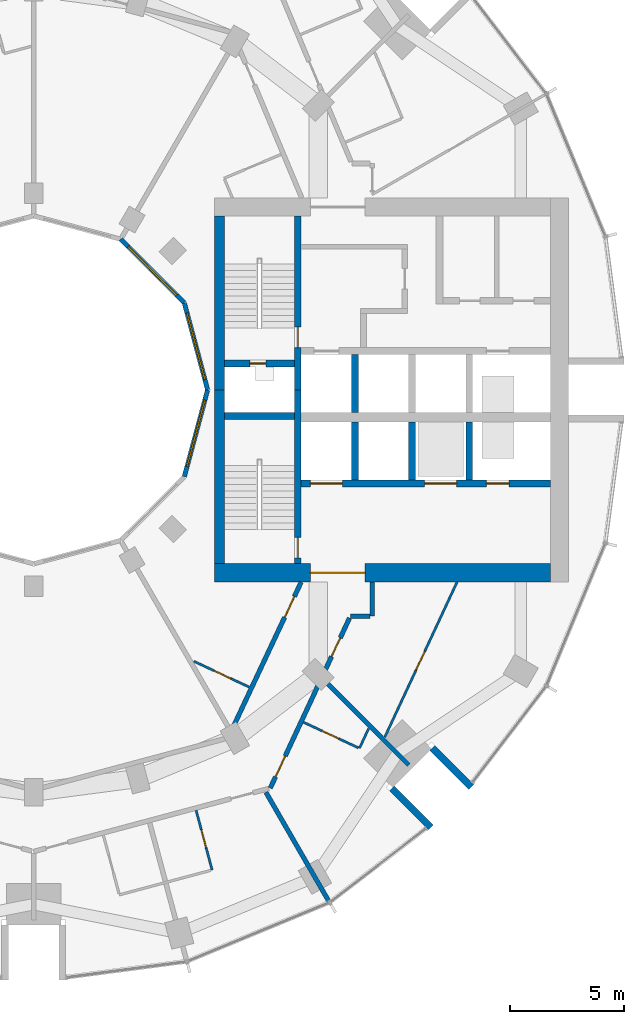
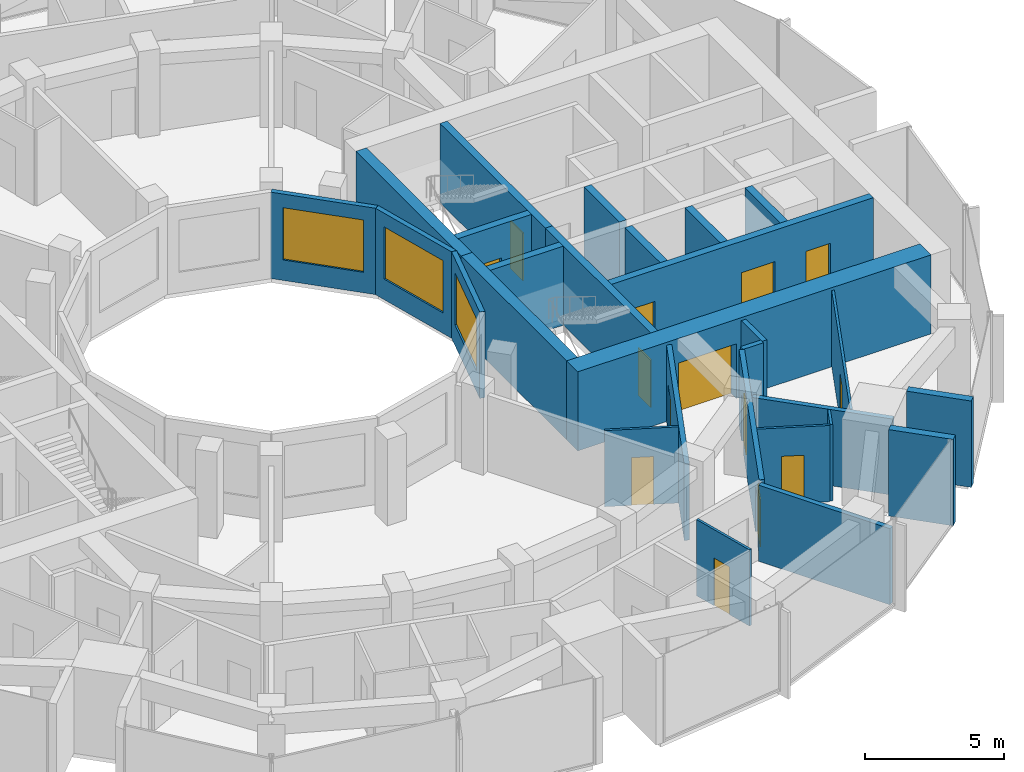
# One storey, part 10 of 15: 28 walls, 14 doors, 3 windows, 17 openings.
"""IFC4 building model written with IfcOpenShell, lengths in metres."""

from ifc_helpers import new_model, si_unit, direction, frame, frame_2d, origin, place, context, subcontext, project, spatial, rectangle, extrude, material, layer, layer_set, type_object, element, fill, save


model = new_model("IFC4")

# Units and contexts
model_context = context("Model", 3, precision=1e-05, world=origin(), true_north=direction((0.0, 1.0)))
body_context = subcontext(model_context, "Body", "Model", "MODEL_VIEW")
ifc_project = project(units=[si_unit("LENGTHUNIT", "METRE"), si_unit("AREAUNIT", "SQUARE_METRE"), si_unit("VOLUMEUNIT", "CUBIC_METRE"), si_unit("PLANEANGLEUNIT", "RADIAN"), si_unit("MASSUNIT", "GRAM", prefix="KILO")], contexts=[model_context])

# Site, building, storey
site_placement = place(None, origin())
site = spatial("IfcSite", under=ifc_project, at=site_placement, CompositionType="ELEMENT")
building_placement = place(site_placement, origin())
building = spatial("IfcBuilding", under=site, at=building_placement, Name="Torre Brocal", CompositionType="ELEMENT")
storey_placement = place(building_placement, frame((0.0, 0.0, 82.39990234375)))
storey = spatial("IfcBuildingStorey", under=building, at=storey_placement, Name="L18", CompositionType="ELEMENT", Elevation=82.39990234375)

# Wall, opening, door
ifc_material_1 = material(Name="Concrete C80", Category="concrete")
ifc_layer_1 = layer(ifc_material_1, 0.300048828125)
ifc_layer_set_1 = layer_set([ifc_layer_1], Name="Concrete C80")
wall_type_1 = type_object("IfcWallType", Name="CORE WALL 300 C80", PredefinedType="SHEAR", material=ifc_layer_set_1)
wall_1_placement = place(storey_placement, frame((91.550048828125, 75.0, 0.0), z_axis=(0.0, 0.0, 1.0), x_axis=(0.0, 1.0, 0.0)))
wall_1 = element("IfcWall", 1, at=wall_1_placement, inside=storey, type_object=wall_type_1, Name="Wall CW300-80", PredefinedType="SHEAR", context=body_context, shape_type="SweptSolid", body=[
    extrude(rectangle(XDim=7.60009765625, YDim=0.300048828125, at=frame_2d((3.800048828125, 0.0))), origin(), (0.0, 0.0, 1.0), 3.47998046875),
])
opening_1_placement = place(wall_1_placement, frame((1.85009765625, 0.0, 0.0)))
opening_1 = element("IfcOpeningElement", 2, at=opening_1_placement, cuts=wall_1, Name="Opening E-D02", PredefinedType="OPENING", context=body_context, shape_type="SweptSolid", body=[
    extrude(rectangle(XDim=0.89990234375, YDim=2.10009765625, at=frame_2d((0.449951171875, 1.050048828125))), frame((0.0, 0.159912109375, 0.0), z_axis=(0.0, -1.0, 0.0), x_axis=(1.0, 0.0, 0.0)), (0.0, 0.0, 1.0), 0.320068359375),
])
ifc_material_2 = material(Name="Steel A653", Category="steel")
door_type_1 = type_object("IfcDoorType", Name="STAIR DOOR FD120 900X2100", OperationType="SINGLE_SWING_RIGHT", PredefinedType="DOOR", material=ifc_material_2)
door_1_placement = place(opening_1_placement, origin())
door_1 = element("IfcDoor", 3, at=door_1_placement, inside=storey, type_object=door_type_1, Name="Door E-D02", OperationType="SINGLE_SWING_LEFT", OverallHeight=2.10009765625, OverallWidth=0.89990234375, PredefinedType="DOOR", context=body_context, shape_type="SweptSolid", body=[
    extrude(rectangle(XDim=0.89990234375, YDim=2.10009765625, at=frame_2d((0.449951171875, 1.050048828125))), frame((0.0, 0.02490234375, 0.0), z_axis=(0.0, -1.0, 0.0), x_axis=(1.0, 0.0, 0.0)), (0.0, 0.0, 1.0), 0.050048828125),
])
fill(opening_1, door_1)

wall_2_placement = place(storey_placement, frame((91.550048828125, 67.39990234375, 0.0), z_axis=(0.0, 0.0, 1.0), x_axis=(0.0, 1.0, 0.0)))
wall_2 = element("IfcWall", 4, at=wall_2_placement, inside=storey, type_object=wall_type_1, Name="Wall CW300-80", PredefinedType="SHEAR", context=body_context, shape_type="SweptSolid", body=[
    extrude(rectangle(XDim=7.60009765625, YDim=0.300048828125, at=frame_2d((3.800048828125, 0.0))), origin(), (0.0, 0.0, 1.0), 3.47998046875),
])
opening_2_placement = place(wall_2_placement, frame((0.25, 0.0, 0.0)))
opening_2 = element("IfcOpeningElement", 5, at=opening_2_placement, cuts=wall_2, Name="Opening E-D03", PredefinedType="OPENING", context=body_context, shape_type="SweptSolid", body=[
    extrude(rectangle(XDim=0.89990234375, YDim=2.10009765625, at=frame_2d((0.449951171875, 1.050048828125))), frame((0.0, 0.159912109375, 0.0), z_axis=(0.0, -1.0, 0.0), x_axis=(1.0, 0.0, 0.0)), (0.0, 0.0, 1.0), 0.320068359375),
])
door_2_placement = place(opening_2_placement, origin())
door_2 = element("IfcDoor", 6, at=door_2_placement, inside=storey, type_object=door_type_1, Name="Door E-D03", OperationType="SINGLE_SWING_LEFT", OverallHeight=2.10009765625, OverallWidth=0.89990234375, PredefinedType="DOOR", context=body_context, shape_type="SweptSolid", body=[
    extrude(rectangle(XDim=0.89990234375, YDim=2.10009765625, at=frame_2d((0.449951171875, 1.050048828125))), frame((0.0, 0.02490234375, 0.0), z_axis=(0.0, -1.0, 0.0), x_axis=(1.0, 0.0, 0.0)), (0.0, 0.0, 1.0), 0.050048828125),
])
fill(opening_2, door_2)

wall_3_placement = place(storey_placement, frame((88.35009765625, 76.14990234375, 0.0), z_axis=(0.0, 0.0, 1.0), x_axis=(1.0, 0.0, 0.0)))
wall_3 = element("IfcWall", 7, at=wall_3_placement, inside=storey, type_object=wall_type_1, Name="Wall CW300-80", PredefinedType="SHEAR", context=body_context, shape_type="SweptSolid", body=[
    extrude(rectangle(XDim=3.0498046875, YDim=0.300048828125, at=frame_2d((1.52490234375, 0.0))), origin(), (0.0, 0.0, 1.0), 3.47998046875),
])
opening_3_placement = place(wall_3_placement, frame((1.10009765625, 0.0, 0.0)))
opening_3 = element("IfcOpeningElement", 8, at=opening_3_placement, cuts=wall_3, Name="Opening E-D01", PredefinedType="OPENING", context=body_context, shape_type="SweptSolid", body=[
    extrude(rectangle(XDim=0.699951171875, YDim=2.0, at=frame_2d((0.35009765625, 1.0))), frame((0.0, 0.159912109375, 0.0), z_axis=(0.0, -1.0, 0.0), x_axis=(1.0, 0.0, 0.0)), (0.0, 0.0, 1.0), 0.320068359375),
])
ifc_material_3 = material(Name="Steel A653", Category="steel")
door_type_2 = type_object("IfcDoorType", Name="RISER DOOR FD120 700X2000", OperationType="SINGLE_SWING_LEFT", PredefinedType="DOOR", material=ifc_material_3)
door_3_placement = place(opening_3_placement, frame((0.699951171875, 0.0, 0.0), z_axis=(0.0, 0.0, 1.0), x_axis=(-1.0, 0.0, 0.0)))
door_3 = element("IfcDoor", 9, at=door_3_placement, inside=storey, type_object=door_type_2, Name="Door E-D01", OperationType="SINGLE_SWING_RIGHT", OverallHeight=2.0, OverallWidth=0.699951171875, PredefinedType="DOOR", context=body_context, shape_type="SweptSolid", body=[
    extrude(rectangle(XDim=0.699951171875, YDim=2.0, at=frame_2d((0.35009765625, 1.0))), frame((0.0, 0.02490234375, 0.0), z_axis=(0.0, -1.0, 0.0), x_axis=(1.0, 0.0, 0.0)), (0.0, 0.0, 1.0), 0.050048828125),
])
fill(opening_3, door_3)

# Wall
wall_4_placement = place(storey_placement, frame((88.35009765625, 73.85009765625, 0.0), z_axis=(0.0, 0.0, 1.0), x_axis=(1.0, 0.0, 0.0)))
element("IfcWall", 10, at=wall_4_placement, inside=storey, type_object=wall_type_1, Name="Wall CW300-80", PredefinedType="SHEAR", context=body_context, shape_type="SweptSolid", body=[
    extrude(rectangle(XDim=3.0498046875, YDim=0.300048828125, at=frame_2d((1.52490234375, 0.0))), origin(), (0.0, 0.0, 1.0), 3.47998046875),
])

# Wall, openings, doors
wall_5_placement = place(storey_placement, frame((91.699951171875, 70.89990234375, 0.0), z_axis=(0.0, 0.0, 1.0), x_axis=(1.0, 0.0, 0.0)))
wall_5 = element("IfcWall", 11, at=wall_5_placement, inside=storey, type_object=wall_type_1, Name="Wall CW300-80", PredefinedType="SHEAR", context=body_context, shape_type="SweptSolid", body=[
    extrude(rectangle(XDim=10.900146484375, YDim=0.300048828125, at=frame_2d((5.4501953125, 0.0))), origin(), (0.0, 0.0, 1.0), 3.47998046875),
])
opening_4_placement = place(wall_5_placement, frame((0.39990234375, 0.0, 0.0)))
opening_4 = element("IfcOpeningElement", 12, at=opening_4_placement, cuts=wall_5, Name="Opening LD14", PredefinedType="OPENING", context=body_context, shape_type="SweptSolid", body=[
    extrude(rectangle(XDim=1.39990234375, YDim=2.10009765625, at=frame_2d((0.699951171875, 1.050048828125))), frame((0.0, 0.159912109375, 0.0), z_axis=(0.0, -1.0, 0.0), x_axis=(1.0, 0.0, 0.0)), (0.0, 0.0, 1.0), 0.320068359375),
])
opening_5_placement = place(wall_5_placement, frame((5.39990234375, 0.0, 0.0)))
opening_5 = element("IfcOpeningElement", 13, at=opening_5_placement, cuts=wall_5, Name="Opening LD14", PredefinedType="OPENING", context=body_context, shape_type="SweptSolid", body=[
    extrude(rectangle(XDim=1.39990234375, YDim=2.10009765625, at=frame_2d((0.699951171875, 1.050048828125))), frame((0.0, 0.159912109375, 0.0), z_axis=(0.0, -1.0, 0.0), x_axis=(1.0, 0.0, 0.0)), (0.0, 0.0, 1.0), 0.320068359375),
])
opening_6_placement = place(wall_5_placement, frame((8.10009765625, 0.0, 0.0)))
opening_6 = element("IfcOpeningElement", 14, at=opening_6_placement, cuts=wall_5, Name="Opening LD10", PredefinedType="OPENING", context=body_context, shape_type="SweptSolid", body=[
    extrude(rectangle(XDim=1.0, YDim=2.10009765625, at=frame_2d((0.5, 1.050048828125))), frame((0.0, 0.159912109375, 0.0), z_axis=(0.0, -1.0, 0.0), x_axis=(1.0, 0.0, 0.0)), (0.0, 0.0, 1.0), 0.320068359375),
])
ifc_material_4 = material(Name="Stainless steel AISI 316", Category="steel")
door_type_3 = type_object("IfcDoorType", Name="LIFT LANDING DOOR 1000X2100", OperationType="DOUBLE_DOOR_SLIDING", PredefinedType="DOOR", material=ifc_material_4)
door_4_placement = place(opening_6_placement, origin())
door_4 = element("IfcDoor", 15, at=door_4_placement, inside=storey, type_object=door_type_3, Name="Door LD10", OperationType="DOUBLE_DOOR_SLIDING", OverallHeight=2.10009765625, OverallWidth=1.0, PredefinedType="DOOR", context=body_context, shape_type="SweptSolid", body=[
    extrude(rectangle(XDim=1.0, YDim=2.10009765625, at=frame_2d((0.5, 1.050048828125))), frame((0.0, 0.02490234375, 0.0), z_axis=(0.0, -1.0, 0.0), x_axis=(1.0, 0.0, 0.0)), (0.0, 0.0, 1.0), 0.050048828125),
])
fill(opening_6, door_4)
ifc_material_5 = material(Name="Stainless steel AISI 316", Category="steel")
door_type_4 = type_object("IfcDoorType", Name="LIFT LANDING DOOR 1400X2100", OperationType="DOUBLE_DOOR_SLIDING", PredefinedType="DOOR", material=ifc_material_5)
door_5_placement = place(opening_4_placement, origin())
door_5 = element("IfcDoor", 16, at=door_5_placement, inside=storey, type_object=door_type_4, Name="Door LD14", OperationType="DOUBLE_DOOR_SLIDING", OverallHeight=2.10009765625, OverallWidth=1.39990234375, PredefinedType="DOOR", context=body_context, shape_type="SweptSolid", body=[
    extrude(rectangle(XDim=1.39990234375, YDim=2.10009765625, at=frame_2d((0.699951171875, 1.050048828125))), frame((0.0, 0.02490234375, 0.0), z_axis=(0.0, -1.0, 0.0), x_axis=(1.0, 0.0, 0.0)), (0.0, 0.0, 1.0), 0.050048828125),
])
fill(opening_4, door_5)
door_6_placement = place(opening_5_placement, origin())
door_6 = element("IfcDoor", 17, at=door_6_placement, inside=storey, type_object=door_type_4, Name="Door LD14", OperationType="DOUBLE_DOOR_SLIDING", OverallHeight=2.10009765625, OverallWidth=1.39990234375, PredefinedType="DOOR", context=body_context, shape_type="SweptSolid", body=[
    extrude(rectangle(XDim=1.39990234375, YDim=2.10009765625, at=frame_2d((0.699951171875, 1.050048828125))), frame((0.0, 0.02490234375, 0.0), z_axis=(0.0, -1.0, 0.0), x_axis=(1.0, 0.0, 0.0)), (0.0, 0.0, 1.0), 0.050048828125),
])
fill(opening_5, door_6)

# Walls
for number, where, z_axis, x_axis, name in (
    (18, (94.050048828125, 74.0, 0.0), (0.0, 0.0, 1.0), (0.0, 1.0, 0.0), "Wall CW300-80"),
    (19, (94.050048828125, 71.050048828125, 0.0), (0.0, 0.0, 1.0), (0.0, 1.0, 0.0), "Wall CW300-80"),
    (20, (96.550048828125, 71.050048828125, 0.0), (0.0, 0.0, 1.0), (0.0, 1.0, 0.0), "Wall CW300-80"),
    (21, (99.050048828125, 71.050048828125, 0.0), (0.0, 0.0, 1.0), (0.0, 1.0, 0.0), "Wall CW300-80"),
):
    element("IfcWall", number, at=place(storey_placement, frame(where, z_axis=z_axis, x_axis=x_axis)), inside=storey, type_object=wall_type_1, Name=name, PredefinedType="SHEAR", context=body_context, shape_type="SweptSolid", body=[
        extrude(rectangle(XDim=2.550048828125, YDim=0.300048828125, at=frame_2d((1.27490234375, 0.0))), origin(), (0.0, 0.0, 1.0), 3.47998046875),
    ])
ifc_material_6 = material(Name="Concrete C80", Category="concrete")
ifc_layer_2 = layer(ifc_material_6, 0.449951171875)
ifc_layer_set_2 = layer_set([ifc_layer_2], Name="Concrete C80")
wall_type_2 = type_object("IfcWallType", Name="CORE WALL 450 C80", PredefinedType="SHEAR", material=ifc_layer_set_2)
for number, where, z_axis, x_axis, name in (
    (22, (88.125, 75.0, 0.0), (0.0, 0.0, 1.0), (0.0, 1.0, 0.0), "Wall CW450-80"),
    (23, (88.125, 67.39990234375, 0.0), (0.0, 0.0, 1.0), (0.0, 1.0, 0.0), "Wall CW450-80"),
):
    element("IfcWall", number, at=place(storey_placement, frame(where, z_axis=z_axis, x_axis=x_axis)), inside=storey, type_object=wall_type_2, Name=name, PredefinedType="SHEAR", context=body_context, shape_type="SweptSolid", body=[
        extrude(rectangle(XDim=7.60009765625, YDim=0.449951171875, at=frame_2d((3.800048828125, 0.0))), origin(), (0.0, 0.0, 1.0), 3.47998046875),
    ])

# Wall, opening, door
ifc_material_7 = material(Name="Concrete C80", Category="concrete")
ifc_layer_3 = layer(ifc_material_7, 0.800048828125)
ifc_layer_set_3 = layer_set([ifc_layer_3], Name="Concrete C80")
wall_type_3 = type_object("IfcWallType", Name="CORE WALL 800 C80", PredefinedType="SHEAR", material=ifc_layer_set_3)
wall_6_placement = place(storey_placement, frame((87.89990234375, 67.0, 0.0), z_axis=(0.0, 0.0, 1.0), x_axis=(1.0, 0.0, 0.0)))
wall_6 = element("IfcWall", 24, at=wall_6_placement, inside=storey, type_object=wall_type_3, Name="Wall CW800-80", PredefinedType="SHEAR", context=body_context, shape_type="SweptSolid", body=[
    extrude(rectangle(XDim=14.7001953125, YDim=0.800048828125, at=frame_2d((7.35009765625, 0.0))), origin(), (0.0, 0.0, 1.0), 3.47998046875),
])
opening_7_placement = place(wall_6_placement, frame((4.199951171875, 0.0, 0.0)))
opening_7 = element("IfcOpeningElement", 25, at=opening_7_placement, cuts=wall_6, Name="Opening E-D27", PredefinedType="OPENING", context=body_context, shape_type="SweptSolid", body=[
    extrude(rectangle(XDim=2.39990234375, YDim=2.39990234375, at=frame_2d((1.199951171875, 1.199951171875))), frame((0.0, 0.409912109375, 0.0), z_axis=(0.0, -1.0, 0.0), x_axis=(1.0, 0.0, 0.0)), (0.0, 0.0, 1.0), 0.820068359375),
])
ifc_material_8 = material(Name="Steel A653", Category="steel")
door_type_5 = type_object("IfcDoorType", Name="DOUBLE FIRE DOOR FD90 2400X2400", OperationType="DOUBLE_DOOR_SINGLE_SWING", PredefinedType="DOOR", material=ifc_material_8)
door_7_placement = place(opening_7_placement, origin())
door_7 = element("IfcDoor", 26, at=door_7_placement, inside=storey, type_object=door_type_5, Name="Door E-D27", OperationType="DOUBLE_DOOR_SINGLE_SWING", OverallHeight=2.39990234375, OverallWidth=2.39990234375, PredefinedType="DOOR", context=body_context, shape_type="SweptSolid", body=[
    extrude(rectangle(XDim=2.39990234375, YDim=2.39990234375, at=frame_2d((1.199951171875, 1.199951171875))), frame((0.0, 0.02490234375, 0.0), z_axis=(0.0, -1.0, 0.0), x_axis=(1.0, 0.0, 0.0)), (0.0, 0.0, 1.0), 0.050048828125),
])
fill(opening_7, door_7)

# Walls
ifc_material_9 = material(Name="Concrete C80", Category="concrete")
ifc_layer_4 = layer(ifc_material_9, 0.300048828125)
ifc_layer_set_4 = layer_set([ifc_layer_4], Name="Concrete C80")
wall_type_4 = type_object("IfcWallType", Name="NOTCH RETURN WALL 300 C80", PredefinedType="NOTDEFINED", material=ifc_layer_set_4)
for number, where, z_axis, x_axis, name in (
    (27, (95.662353515625, 57.56982421875, 0.0), (0.0, 0.0, 1.0), (0.707106781187, -0.707106781187, 0.0), "NOTCH RETURN WALL"),
    (28, (97.43017578125, 59.337646484375, 0.0), (0.0, 0.0, 1.0), (0.707106781187, -0.707106781187, 0.0), "NOTCH RETURN WALL"),
):
    element("IfcWall", number, at=place(storey_placement, frame(where, z_axis=z_axis, x_axis=x_axis)), inside=storey, type_object=wall_type_4, Name=name, PredefinedType="NOTDEFINED", context=body_context, shape_type="SweptSolid", body=[
        extrude(rectangle(XDim=2.415771484375, YDim=0.300048828125, at=frame_2d((1.2080078125, 0.0))), origin(), (0.0, 0.0, 1.0), 3.800048828125),
    ])

# Wall, opening, door
ifc_material_10 = material(Name="Gypsum board", Category="Gypsum")
ifc_layer_5 = layer(ifc_material_10, 0.10009765625)
ifc_layer_set_5 = layer_set([ifc_layer_5], Name="Gypsum board")
wall_type_5 = type_object("IfcWallType", Name="PARTITION 100", PredefinedType="PARTITIONING", material=ifc_layer_set_5)
wall_7_placement = place(storey_placement, frame((87.006103515625, 63.124267578125, 0.0), z_axis=(0.0, 0.0, 1.0), x_axis=(0.906535604863, -0.422129360642, 0.0)))
wall_7 = element("IfcWall", 29, at=wall_7_placement, inside=storey, type_object=wall_type_5, Name="BATHROOM WALL", PredefinedType="PARTITIONING", context=body_context, shape_type="SweptSolid", body=[
    extrude(rectangle(XDim=2.669677734375, YDim=0.10009765625, at=frame_2d((1.3349609375, 0.0))), origin(), (0.0, 0.0, 1.0), 3.35009765625),
])
opening_8_placement = place(wall_7_placement, frame((0.969970703125, 0.0, 0.0)))
opening_8 = element("IfcOpeningElement", 30, at=opening_8_placement, cuts=wall_7, Name="Opening H05-D42", PredefinedType="OPENING", context=body_context, shape_type="SweptSolid", body=[
    extrude(rectangle(XDim=0.800048828125, YDim=2.10009765625, at=frame_2d((0.39990234375, 1.050048828125))), frame((0.0, 0.06005859375, 0.0), z_axis=(0.0, -1.0, 0.0), x_axis=(1.0, 0.0, 0.0)), (0.0, 0.0, 1.0), 0.1201171875),
])
ifc_material_11 = material(Name="Timber", Category="wood")
door_type_6 = type_object("IfcDoorType", Name="BATHROOM DOOR 800X2100", OperationType="SINGLE_SWING_LEFT", PredefinedType="DOOR", material=ifc_material_11)
door_8_placement = place(opening_8_placement, frame((0.800048828125, 0.0, 0.0), z_axis=(0.0, 0.0, 1.0), x_axis=(-1.0, 0.0, 0.0)))
door_8 = element("IfcDoor", 31, at=door_8_placement, inside=storey, type_object=door_type_6, Name="H05-D42", OperationType="SINGLE_SWING_RIGHT", OverallHeight=2.10009765625, OverallWidth=0.800048828125, PredefinedType="DOOR", context=body_context, shape_type="SweptSolid", body=[
    extrude(rectangle(XDim=0.800048828125, YDim=2.10009765625, at=frame_2d((0.39990234375, 1.050048828125))), frame((0.0, 0.02490234375, 0.0), z_axis=(0.0, -1.0, 0.0), x_axis=(1.0, 0.0, 0.0)), (0.0, 0.0, 1.0), 0.050048828125),
])
fill(opening_8, door_8)

wall_8_placement = place(storey_placement, frame((87.10302734375, 56.60400390625, 0.0), z_axis=(0.0, 0.0, 1.0), x_axis=(0.258883730688, -0.965908491517, 0.0)))
wall_8 = element("IfcWall", 32, at=wall_8_placement, inside=storey, type_object=wall_type_5, Name="BATHROOM WALL", PredefinedType="PARTITIONING", context=body_context, shape_type="SweptSolid", body=[
    extrude(rectangle(XDim=2.699951171875, YDim=0.10009765625, at=frame_2d((1.35009765625, 0.0))), origin(), (0.0, 0.0, 1.0), 3.35009765625),
])
opening_9_placement = place(wall_8_placement, frame((0.899658203125, 0.0, 0.0)))
opening_9 = element("IfcOpeningElement", 33, at=opening_9_placement, cuts=wall_8, Name="Opening H05-D29", PredefinedType="OPENING", context=body_context, shape_type="SweptSolid", body=[
    extrude(rectangle(XDim=0.800048828125, YDim=2.10009765625, at=frame_2d((0.39990234375, 1.050048828125))), frame((0.0, 0.06005859375, 0.0), z_axis=(0.0, -1.0, 0.0), x_axis=(1.0, 0.0, 0.0)), (0.0, 0.0, 1.0), 0.1201171875),
])
door_9_placement = place(opening_9_placement, frame((0.800048828125, 0.0, 0.0), z_axis=(0.0, 0.0, 1.0), x_axis=(-1.0, 0.0, 0.0)))
door_9 = element("IfcDoor", 34, at=door_9_placement, inside=storey, type_object=door_type_6, Name="H05-D29", OperationType="SINGLE_SWING_RIGHT", OverallHeight=2.10009765625, OverallWidth=0.800048828125, PredefinedType="DOOR", context=body_context, shape_type="SweptSolid", body=[
    extrude(rectangle(XDim=0.800048828125, YDim=2.10009765625, at=frame_2d((0.39990234375, 1.050048828125))), frame((0.0, 0.02490234375, 0.0), z_axis=(0.0, -1.0, 0.0), x_axis=(1.0, 0.0, 0.0)), (0.0, 0.0, 1.0), 0.050048828125),
])
fill(opening_9, door_9)

wall_9_placement = place(storey_placement, frame((91.7998046875, 60.458740234375, 0.0), z_axis=(0.0, 0.0, 1.0), x_axis=(0.906644059932, -0.421896371861, 0.0)))
wall_9 = element("IfcWall", 35, at=wall_9_placement, inside=storey, type_object=wall_type_5, Name="BATHROOM WALL", PredefinedType="PARTITIONING", context=body_context, shape_type="SweptSolid", body=[
    extrude(rectangle(XDim=2.649169921875, YDim=0.10009765625, at=frame_2d((1.32470703125, 0.0))), origin(), (0.0, 0.0, 1.0), 3.35009765625),
])
opening_10_placement = place(wall_9_placement, frame((0.8994140625, 0.0, 0.0)))
opening_10 = element("IfcOpeningElement", 36, at=opening_10_placement, cuts=wall_9, Name="Opening H05-D27", PredefinedType="OPENING", context=body_context, shape_type="SweptSolid", body=[
    extrude(rectangle(XDim=0.800048828125, YDim=2.10009765625, at=frame_2d((0.39990234375, 1.050048828125))), frame((0.0, 0.06005859375, 0.0), z_axis=(0.0, -1.0, 0.0), x_axis=(1.0, 0.0, 0.0)), (0.0, 0.0, 1.0), 0.1201171875),
])
door_10_placement = place(opening_10_placement, origin())
door_10 = element("IfcDoor", 37, at=door_10_placement, inside=storey, type_object=door_type_6, Name="H05-D27", OperationType="SINGLE_SWING_LEFT", OverallHeight=2.10009765625, OverallWidth=0.800048828125, PredefinedType="DOOR", context=body_context, shape_type="SweptSolid", body=[
    extrude(rectangle(XDim=0.800048828125, YDim=2.10009765625, at=frame_2d((0.39990234375, 1.050048828125))), frame((0.0, 0.02490234375, 0.0), z_axis=(0.0, -1.0, 0.0), x_axis=(1.0, 0.0, 0.0)), (0.0, 0.0, 1.0), 0.050048828125),
])
fill(opening_10, door_10)

# Wall
wall_10_placement = place(storey_placement, frame((94.2470703125, 59.320068359375, 0.0), z_axis=(0.0, 0.0, 1.0), x_axis=(0.422660124657, 0.906288264861, 0.0)))
element("IfcWall", 38, at=wall_10_placement, inside=storey, type_object=wall_type_5, Name="BATHROOM WALL", PredefinedType="PARTITIONING", context=body_context, shape_type="SweptSolid", body=[
    extrude(rectangle(XDim=0.948974609375, YDim=0.10009765625, at=frame_2d((0.474609375, 0.0))), origin(), (0.0, 0.0, 1.0), 3.35009765625),
])

# Wall, opening, door
wall_11_placement = place(storey_placement, frame((95.354736328125, 59.805908203125, 0.0), z_axis=(0.0, 0.0, 1.0), x_axis=(0.422407546544, 0.906406015328, 0.0)))
wall_11 = element("IfcWall", 39, at=wall_11_placement, inside=storey, type_object=wall_type_5, Name="ROOM PARTITION", PredefinedType="PARTITIONING", context=body_context, shape_type="SweptSolid", body=[
    extrude(rectangle(XDim=7.495849609375, YDim=0.10009765625, at=frame_2d((3.748046875, 0.0))), origin(), (0.0, 0.0, 1.0), 3.35009765625),
])
opening_11_placement = place(wall_11_placement, frame((3.23779296875, 0.0, 0.0)))
opening_11 = element("IfcOpeningElement", 40, at=opening_11_placement, cuts=wall_11, Name="Opening H05-D25", PredefinedType="OPENING", context=body_context, shape_type="SweptSolid", body=[
    extrude(rectangle(XDim=0.89990234375, YDim=2.10009765625, at=frame_2d((0.449951171875, 1.050048828125))), frame((0.0, 0.06005859375, 0.0), z_axis=(0.0, -1.0, 0.0), x_axis=(1.0, 0.0, 0.0)), (0.0, 0.0, 1.0), 0.1201171875),
])
ifc_material_12 = material(Name="Timber", Category="wood")
door_type_7 = type_object("IfcDoorType", Name="ROOM DOOR 900X2100", OperationType="SINGLE_SWING_LEFT", PredefinedType="DOOR", material=ifc_material_12)
door_11_placement = place(opening_11_placement, origin())
door_11 = element("IfcDoor", 41, at=door_11_placement, inside=storey, type_object=door_type_7, Name="H05-D25", OperationType="SINGLE_SWING_RIGHT", OverallHeight=2.10009765625, OverallWidth=0.89990234375, PredefinedType="DOOR", context=body_context, shape_type="SweptSolid", body=[
    extrude(rectangle(XDim=0.89990234375, YDim=2.10009765625, at=frame_2d((0.449951171875, 1.050048828125))), frame((0.0, 0.02490234375, 0.0), z_axis=(0.0, -1.0, 0.0), x_axis=(1.0, 0.0, 0.0)), (0.0, 0.0, 1.0), 0.050048828125),
])
fill(opening_11, door_11)

ifc_material_13 = material(Name="Gypsum board", Category="Gypsum")
ifc_layer_6 = layer(ifc_material_13, 0.199951171875)
ifc_layer_set_6 = layer_set([ifc_layer_6], Name="Gypsum board")
wall_type_6 = type_object("IfcWallType", Name="PARTITION 200 EI60", PredefinedType="PARTITIONING", material=ifc_layer_set_6)
wall_12_placement = place(storey_placement, frame((88.500732421875, 59.774658203125, 0.0), z_axis=(0.0, 0.0, 1.0), x_axis=(0.424700525505, 0.905333896215, 0.0)))
wall_12 = element("IfcWall", 42, at=wall_12_placement, inside=storey, type_object=wall_type_6, Name="GUESTROOM CORRIDOR WALL", PredefinedType="PARTITIONING", context=body_context, shape_type="SweptSolid", body=[
    extrude(rectangle(XDim=7.529541015625, YDim=0.199951171875, at=frame_2d((3.7646484375, 0.0))), origin(), (0.0, 0.0, 1.0), 3.35009765625),
])
opening_12_placement = place(wall_12_placement, frame((5.82958984375, 0.0, 0.0)))
opening_12 = element("IfcOpeningElement", 43, at=opening_12_placement, cuts=wall_12, Name="Opening H05-D41", PredefinedType="OPENING", context=body_context, shape_type="SweptSolid", body=[
    extrude(rectangle(XDim=1.0, YDim=2.10009765625, at=frame_2d((0.5, 1.050048828125))), frame((0.0, 0.10986328125, 0.0), z_axis=(0.0, -1.0, 0.0), x_axis=(1.0, 0.0, 0.0)), (0.0, 0.0, 1.0), 0.219970703125),
])
ifc_material_14 = material(Name="Timber", Category="wood")
door_type_8 = type_object("IfcDoorType", Name="FLAT ENTRY DOOR FD30S 1000X2100", OperationType="SINGLE_SWING_RIGHT", PredefinedType="DOOR", material=ifc_material_14)
door_12_placement = place(opening_12_placement, origin())
door_12 = element("IfcDoor", 44, at=door_12_placement, inside=storey, type_object=door_type_8, Name="H05-D41", OperationType="SINGLE_SWING_RIGHT", OverallHeight=2.10009765625, OverallWidth=1.0, PredefinedType="DOOR", context=body_context, shape_type="SweptSolid", body=[
    extrude(rectangle(XDim=1.0, YDim=2.10009765625, at=frame_2d((0.5, 1.050048828125))), frame((0.0, 0.02490234375, 0.0), z_axis=(0.0, -1.0, 0.0), x_axis=(1.0, 0.0, 0.0)), (0.0, 0.0, 1.0), 0.050048828125),
])
fill(opening_12, door_12)

# Wall
wall_13_placement = place(storey_placement, frame((90.156982421875, 57.393798828125, 0.0), z_axis=(0.0, 0.0, 1.0), x_axis=(0.499815153866, -0.86613209845, 0.0)))
element("IfcWall", 45, at=wall_13_placement, inside=storey, type_object=wall_type_6, Name="PARTY PARTITION", PredefinedType="PARTITIONING", context=body_context, shape_type="SweptSolid", body=[
    extrude(rectangle(XDim=5.4716796875, YDim=0.199951171875, at=frame_2d((2.73583984375, 0.0))), origin(), (0.0, 0.0, 1.0), 3.35009765625),
])

# Wall, openings, doors
wall_14_placement = place(storey_placement, frame((90.346435546875, 57.577880859375, 0.0), z_axis=(0.0, 0.0, 1.0), x_axis=(0.422403412327, 0.906407941964, 0.0)))
wall_14 = element("IfcWall", 46, at=wall_14_placement, inside=storey, type_object=wall_type_6, Name="GUESTROOM CORRIDOR WALL", PredefinedType="PARTITIONING", context=body_context, shape_type="SweptSolid", body=[
    extrude(rectangle(XDim=8.2080078125, YDim=0.199951171875, at=frame_2d((4.10400390625, 0.0))), origin(), (0.0, 0.0, 1.0), 3.35009765625),
])
opening_13_placement = place(wall_14_placement, frame((6.351318359375, 0.0, 0.0)))
opening_13 = element("IfcOpeningElement", 47, at=opening_13_placement, cuts=wall_14, Name="Opening H05-D24", PredefinedType="OPENING", context=body_context, shape_type="SweptSolid", body=[
    extrude(rectangle(XDim=0.89990234375, YDim=2.10009765625, at=frame_2d((0.449951171875, 1.050048828125))), frame((0.0, 0.10986328125, 0.0), z_axis=(0.0, -1.0, 0.0), x_axis=(1.0, 0.0, 0.0)), (0.0, 0.0, 1.0), 0.219970703125),
])
opening_14_placement = place(wall_14_placement, frame((0.550048828125, 0.0, 0.0)))
opening_14 = element("IfcOpeningElement", 48, at=opening_14_placement, cuts=wall_14, Name="Opening H05-D26", PredefinedType="OPENING", context=body_context, shape_type="SweptSolid", body=[
    extrude(rectangle(XDim=1.0, YDim=2.10009765625, at=frame_2d((0.5, 1.050048828125))), frame((0.0, 0.10986328125, 0.0), z_axis=(0.0, -1.0, 0.0), x_axis=(1.0, 0.0, 0.0)), (0.0, 0.0, 1.0), 0.219970703125),
])
door_13_placement = place(opening_14_placement, frame((1.0, 0.0, 0.0), z_axis=(0.0, 0.0, 1.0), x_axis=(-1.0, 0.0, 0.0)))
door_13 = element("IfcDoor", 49, at=door_13_placement, inside=storey, type_object=door_type_8, Name="H05-D26", OperationType="SINGLE_SWING_RIGHT", OverallHeight=2.10009765625, OverallWidth=1.0, PredefinedType="DOOR", context=body_context, shape_type="SweptSolid", body=[
    extrude(rectangle(XDim=1.0, YDim=2.10009765625, at=frame_2d((0.5, 1.050048828125))), frame((0.0, 0.02490234375, 0.0), z_axis=(0.0, -1.0, 0.0), x_axis=(1.0, 0.0, 0.0)), (0.0, 0.0, 1.0), 0.050048828125),
])
fill(opening_14, door_13)
door_14_placement = place(opening_13_placement, frame((0.89990234375, 0.0, 0.0), z_axis=(0.0, 0.0, 1.0), x_axis=(-1.0, 0.0, 0.0)))
door_14 = element("IfcDoor", 50, at=door_14_placement, inside=storey, type_object=door_type_7, Name="H05-D24", OperationType="SINGLE_SWING_RIGHT", OverallHeight=2.10009765625, OverallWidth=0.89990234375, PredefinedType="DOOR", context=body_context, shape_type="SweptSolid", body=[
    extrude(rectangle(XDim=0.89990234375, YDim=2.10009765625, at=frame_2d((0.449951171875, 1.050048828125))), frame((0.0, 0.02490234375, 0.0), z_axis=(0.0, -1.0, 0.0), x_axis=(1.0, 0.0, 0.0)), (0.0, 0.0, 1.0), 0.050048828125),
])
fill(opening_13, door_14)

# Walls
wall_15_placement = place(storey_placement, frame((92.69189453125, 62.303466796875, 0.0), z_axis=(0.0, 0.0, 1.0), x_axis=(0.706920663731, -0.707292849667, 0.0)))
element("IfcWall", 51, at=wall_15_placement, inside=storey, type_object=wall_type_6, Name="BATHROOM WALL", PredefinedType="PARTITIONING", context=body_context, shape_type="SweptSolid", body=[
    extrude(rectangle(XDim=5.247802734375, YDim=0.199951171875, at=frame_2d((2.6240234375, 0.0))), origin(), (0.0, 0.0, 1.0), 3.35009765625),
])
wall_16_placement = place(storey_placement, frame((93.85107421875, 65.10009765625, 0.0), z_axis=(0.0, 0.0, 1.0), x_axis=(1.0, 0.0, 0.0)))
element("IfcWall", 52, at=wall_16_placement, inside=storey, type_object=wall_type_6, Name="CORRIDOR WALL", PredefinedType="PARTITIONING", context=body_context, shape_type="SweptSolid", body=[
    extrude(rectangle(XDim=0.848876953125, YDim=0.199951171875, at=frame_2d((0.42431640625, 0.0))), origin(), (0.0, 0.0, 1.0), 3.35009765625),
])
wall_17_placement = place(storey_placement, frame((94.800048828125, 65.10009765625, 0.0), z_axis=(0.0, 0.0, 1.0), x_axis=(0.0, 1.0, 0.0)))
element("IfcWall", 53, at=wall_17_placement, inside=storey, type_object=wall_type_6, Name="CORRIDOR WALL", PredefinedType="PARTITIONING", context=body_context, shape_type="SweptSolid", body=[
    extrude(rectangle(XDim=1.4990234375, YDim=0.199951171875, at=frame_2d((0.74951171875, 0.0))), origin(), (0.0, 0.0, 1.0), 3.35009765625),
])

# Wall, opening, window
ifc_material_15 = material(Name="Concrete C40", Category="concrete")
ifc_layer_7 = layer(ifc_material_15, 0.199951171875)
ifc_layer_set_7 = layer_set([ifc_layer_7], Name="Concrete C40")
wall_type_7 = type_object("IfcWallType", Name="WELL FACADE WALL 200", PredefinedType="NOTDEFINED", material=ifc_layer_set_7)
wall_18_placement = place(storey_placement, frame((87.603515625, 75.0, 0.0), z_axis=(0.0, 0.0, 1.0), x_axis=(-0.258789828301, 0.965933654434, 0.0)))
wall_18 = element("IfcWall", 54, at=wall_18_placement, inside=storey, type_object=wall_type_7, Name="WELL FACADE WALL", PredefinedType="NOTDEFINED", context=body_context, shape_type="SweptSolid", body=[
    extrude(rectangle(XDim=3.935791015625, YDim=0.199951171875, at=frame_2d((1.9677734375, 0.0))), origin(), (0.0, 0.0, 1.0), 3.800048828125),
])
opening_15_placement = place(wall_18_placement, frame((0.468017578125, 0.0, 0.89990234375)))
opening_15 = element("IfcOpeningElement", 55, at=opening_15_placement, cuts=wall_18, Name="Opening W1", PredefinedType="OPENING", context=body_context, shape_type="SweptSolid", body=[
    extrude(rectangle(XDim=3.0, YDim=2.300048828125, at=frame_2d((1.5, 1.14990234375))), frame((0.0, 0.10986328125, 0.0), z_axis=(0.0, -1.0, 0.0), x_axis=(1.0, 0.0, 0.0)), (0.0, 0.0, 1.0), 0.219970703125),
])
ifc_material_16 = material(Name="Aluminium and glass", Category="aluminium")
window_type = type_object("IfcWindowType", Name="WELL WINDOW 3000X2300", PartitioningType="SINGLE_PANEL", PredefinedType="WINDOW", material=ifc_material_16)
window_1_placement = place(opening_15_placement, origin())
window_1 = element("IfcWindow", 56, at=window_1_placement, inside=storey, type_object=window_type, Name="WELL WINDOW 3000X2300", OverallHeight=2.300048828125, OverallWidth=3.0, PartitioningType="SINGLE_PANEL", PredefinedType="WINDOW", context=body_context, shape_type="SweptSolid", body=[
    extrude(rectangle(XDim=3.0, YDim=2.300048828125, at=frame_2d((1.5, 1.14990234375))), frame((0.0, 0.030029296875, 0.0), z_axis=(0.0, -1.0, 0.0), x_axis=(1.0, 0.0, 0.0)), (0.0, 0.0, 1.0), 0.06005859375),
])
fill(opening_15, window_1)

wall_19_placement = place(storey_placement, frame((86.5849609375, 78.8017578125, 0.0), z_axis=(0.0, 0.0, 1.0), x_axis=(-0.707106781187, 0.707106781187, 0.0)))
wall_19 = element("IfcWall", 57, at=wall_19_placement, inside=storey, type_object=wall_type_7, Name="WELL FACADE WALL", PredefinedType="NOTDEFINED", context=body_context, shape_type="SweptSolid", body=[
    extrude(rectangle(XDim=3.93603515625, YDim=0.199951171875, at=frame_2d((1.968017578125, 0.0))), origin(), (0.0, 0.0, 1.0), 3.800048828125),
])
opening_16_placement = place(wall_19_placement, frame((0.468017578125, 0.0, 0.89990234375)))
opening_16 = element("IfcOpeningElement", 58, at=opening_16_placement, cuts=wall_19, Name="Opening W1", PredefinedType="OPENING", context=body_context, shape_type="SweptSolid", body=[
    extrude(rectangle(XDim=3.0, YDim=2.300048828125, at=frame_2d((1.5, 1.14990234375))), frame((0.0, 0.10986328125, 0.0), z_axis=(0.0, -1.0, 0.0), x_axis=(1.0, 0.0, 0.0)), (0.0, 0.0, 1.0), 0.219970703125),
])
window_2_placement = place(opening_16_placement, origin())
window_2 = element("IfcWindow", 59, at=window_2_placement, inside=storey, type_object=window_type, Name="WELL WINDOW 3000X2300", OverallHeight=2.300048828125, OverallWidth=3.0, PartitioningType="SINGLE_PANEL", PredefinedType="WINDOW", context=body_context, shape_type="SweptSolid", body=[
    extrude(rectangle(XDim=3.0, YDim=2.300048828125, at=frame_2d((1.5, 1.14990234375))), frame((0.0, 0.030029296875, 0.0), z_axis=(0.0, -1.0, 0.0), x_axis=(1.0, 0.0, 0.0)), (0.0, 0.0, 1.0), 0.06005859375),
])
fill(opening_16, window_2)

wall_20_placement = place(storey_placement, frame((86.5849609375, 71.1982421875, 0.0), z_axis=(0.0, 0.0, 1.0), x_axis=(0.258789828301, 0.965933654434, 0.0)))
wall_20 = element("IfcWall", 60, at=wall_20_placement, inside=storey, type_object=wall_type_7, Name="WELL FACADE WALL", PredefinedType="NOTDEFINED", context=body_context, shape_type="SweptSolid", body=[
    extrude(rectangle(XDim=3.935791015625, YDim=0.199951171875, at=frame_2d((1.9677734375, 0.0))), origin(), (0.0, 0.0, 1.0), 3.800048828125),
])
opening_17_placement = place(wall_20_placement, frame((0.468017578125, 0.0, 0.89990234375)))
opening_17 = element("IfcOpeningElement", 61, at=opening_17_placement, cuts=wall_20, Name="Opening W1", PredefinedType="OPENING", context=body_context, shape_type="SweptSolid", body=[
    extrude(rectangle(XDim=3.0, YDim=2.300048828125, at=frame_2d((1.5, 1.14990234375))), frame((0.0, 0.10986328125, 0.0), z_axis=(0.0, -1.0, 0.0), x_axis=(1.0, 0.0, 0.0)), (0.0, 0.0, 1.0), 0.219970703125),
])
window_3_placement = place(opening_17_placement, origin())
window_3 = element("IfcWindow", 62, at=window_3_placement, inside=storey, type_object=window_type, Name="WELL WINDOW 3000X2300", OverallHeight=2.300048828125, OverallWidth=3.0, PartitioningType="SINGLE_PANEL", PredefinedType="WINDOW", context=body_context, shape_type="SweptSolid", body=[
    extrude(rectangle(XDim=3.0, YDim=2.300048828125, at=frame_2d((1.5, 1.14990234375))), frame((0.0, 0.030029296875, 0.0), z_axis=(0.0, -1.0, 0.0), x_axis=(1.0, 0.0, 0.0)), (0.0, 0.0, 1.0), 0.06005859375),
])
fill(opening_17, window_3)

save(model, "model.ifc")
